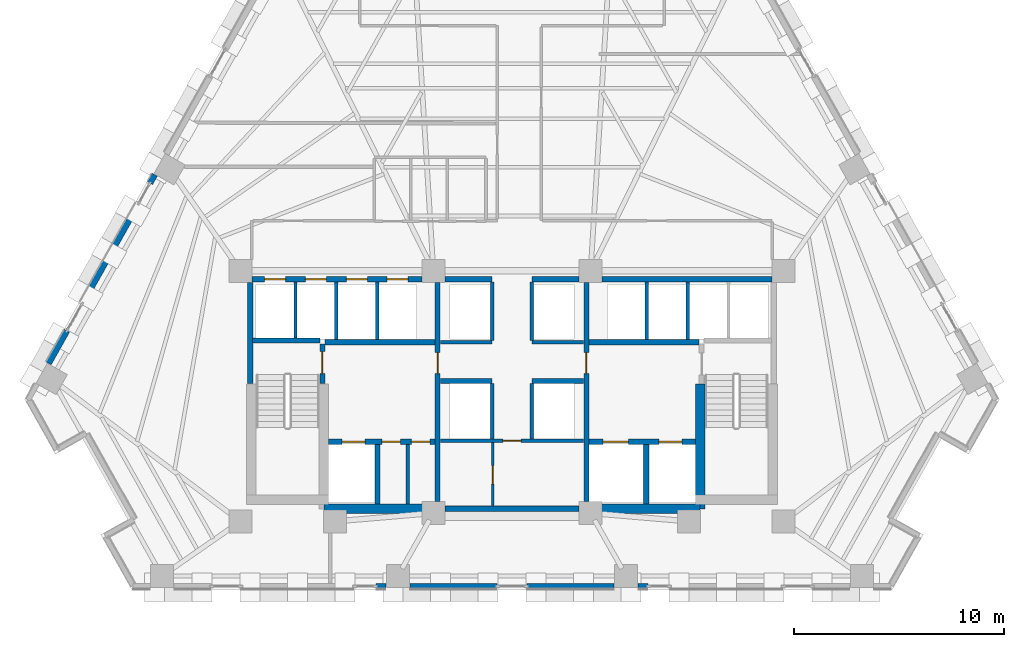
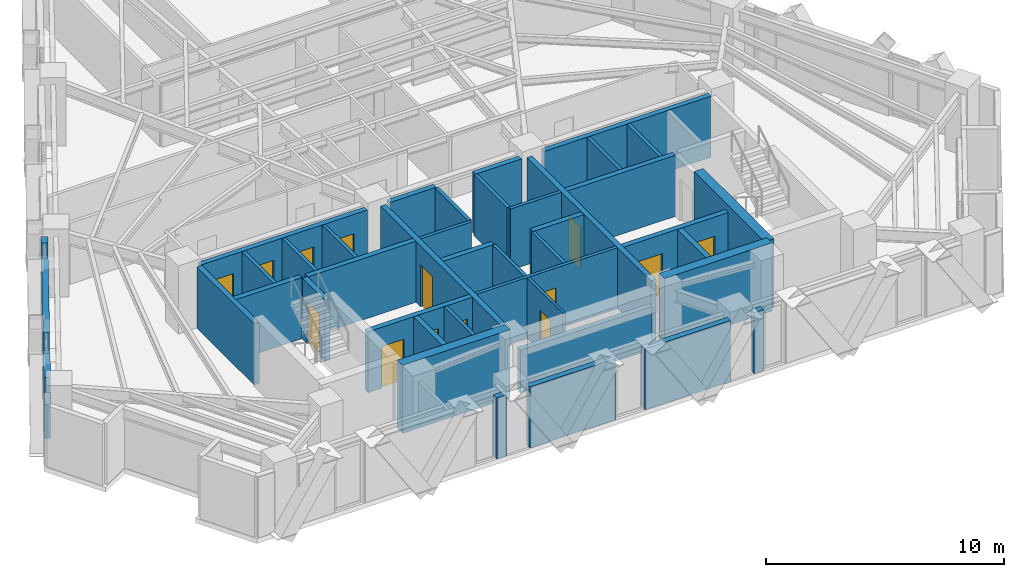
# One storey, part 7 of 13: 42 walls, 14 doors, 14 openings.
"""IFC4 building model written with IfcOpenShell, lengths in metres."""

from ifc_helpers import new_model, si_unit, direction, frame, frame_2d, origin, place, context, subcontext, project, spatial, rectangle, extrude, material, layer, layer_set, type_object, element, fill, save


model = new_model("IFC4")

# Units and contexts
model_context = context("Model", 3, precision=1e-05, world=origin(), true_north=direction((0.0, 1.0)))
body_context = subcontext(model_context, "Body", "Model", "MODEL_VIEW")
ifc_project = project(units=[si_unit("LENGTHUNIT", "METRE"), si_unit("AREAUNIT", "SQUARE_METRE"), si_unit("VOLUMEUNIT", "CUBIC_METRE"), si_unit("PLANEANGLEUNIT", "RADIAN"), si_unit("MASSUNIT", "GRAM", prefix="KILO")], contexts=[model_context])

# Site, building, storey
site_placement = place(None, origin())
site = spatial("IfcSite", under=ifc_project, at=site_placement, CompositionType="ELEMENT")
building_placement = place(site_placement, origin())
building = spatial("IfcBuilding", under=site, at=building_placement, Name="Quenlor Broadcast Tower", CompositionType="ELEMENT")
storey_placement = place(building_placement, frame((0.0, 0.0, 87.10009765625)))
storey = spatial("IfcBuildingStorey", under=building, at=storey_placement, Name="L23", CompositionType="ELEMENT", Elevation=87.10009765625)

# Walls
ifc_material_1 = material(Name="Concrete C50/60", Category="concrete")
ifc_layer_1 = layer(ifc_material_1, 0.449951171875)
ifc_layer_set_1 = layer_set([ifc_layer_1], Name="Core Concrete C50/60 Shear Wall 450")
wall_type_1 = type_object("IfcWallType", Name="Core Concrete C50/60 Shear Wall 450", PredefinedType="SHEAR", material=ifc_layer_set_1)
for number, where, z_axis, x_axis, name in (
    (1, (-8.97509765625, -16.14990234375, 0.0), (0.0, 0.0, 1.0), (1.0, 0.0, 0.0), "L23 Core Shear Wall WS-W2"),
    (2, (3.75, -16.14990234375, 0.0), (0.0, 0.0, 1.0), (1.0, 0.0, 0.0), "L23 Core Shear Wall WS-E1"),
):
    element("IfcWall", number, at=place(storey_placement, frame(where, z_axis=z_axis, x_axis=x_axis)), inside=storey, type_object=wall_type_1, Name=name, PredefinedType="SHEAR", context=body_context, shape_type="SweptSolid", body=[
        extrude(rectangle(XDim=5.22509765625, YDim=0.449951171875, at=frame_2d((2.612548828125, 0.0))), origin(), (0.0, 0.0, 1.0), 3.5),
    ])
wall_1_placement = place(storey_placement, frame((8.97509765625, -16.14990234375, 0.0), z_axis=(0.0, 0.0, 1.0), x_axis=(0.0, 1.0, 0.0)))
element("IfcWall", 3, at=wall_1_placement, inside=storey, type_object=wall_type_1, Name="L23 Core Shear Wall WI-E", PredefinedType="SHEAR", context=body_context, shape_type="SweptSolid", body=[
    extrude(rectangle(XDim=5.949951171875, YDim=0.449951171875, at=frame_2d((2.97509765625, 0.0))), origin(), (0.0, 0.0, 1.0), 3.5),
])

# Wall, opening, door
ifc_material_2 = material(Name="Concrete C40/50", Category="concrete")
ifc_layer_2 = layer(ifc_material_2, 0.25)
ifc_layer_set_2 = layer_set([ifc_layer_2], Name="Fire Rated Concrete C40/50 Core Wall 250")
wall_type_2 = type_object("IfcWallType", Name="Fire Rated Concrete C40/50 Core Wall 250", PredefinedType="PARTITIONING", material=ifc_layer_set_2)
wall_2_placement = place(storey_placement, frame((-9.0400390625, -10.179931640625, 0.0), z_axis=(0.0, 0.0, 1.0), x_axis=(0.0, 1.0, 0.0)))
wall_2 = element("IfcWall", 4, at=wall_2_placement, inside=storey, type_object=wall_type_2, Name="L23 Interior Wall CW-ST1-DR", PredefinedType="PARTITIONING", context=body_context, shape_type="SweptSolid", body=[
    extrude(rectangle(XDim=1.89990234375, YDim=0.25, at=frame_2d((0.949951171875, 0.0))), origin(), (0.0, 0.0, 1.0), 3.139892578125),
])
opening_1_placement = place(wall_2_placement, frame((0.47998046875, 0.0, 0.0)))
opening_1 = element("IfcOpeningElement", 5, at=opening_1_placement, cuts=wall_2, Name="Opening FD-1", PredefinedType="OPENING", context=body_context, shape_type="SweptSolid", body=[
    extrude(rectangle(XDim=1.050048828125, YDim=2.14990234375, at=frame_2d((0.52490234375, 1.074951171875))), frame((0.0, 0.135009765625, 0.0), z_axis=(0.0, -1.0, 0.0), x_axis=(1.0, 0.0, 0.0)), (0.0, 0.0, 1.0), 0.27001953125),
])
ifc_material_3 = material(Name="Fire Rated Steel Door Leaf", Category="steel")
door_type_1 = type_object("IfcDoorType", Name="Fire Isolated Stair Door 1050x2150", OperationType="NOTDEFINED", PredefinedType="DOOR", material=ifc_material_3)
door_1_placement = place(opening_1_placement, origin())
door_1 = element("IfcDoor", 6, at=door_1_placement, inside=storey, type_object=door_type_1, Name="L23 Door DR-ST1", OperationType="SINGLE_SWING_LEFT", OverallHeight=2.14990234375, OverallWidth=1.050048828125, PredefinedType="DOOR", context=body_context, shape_type="SweptSolid", body=[
    extrude(rectangle(XDim=1.050048828125, YDim=2.14990234375, at=frame_2d((0.52490234375, 1.074951171875))), frame((0.0, 0.02490234375, 0.0), z_axis=(0.0, -1.0, 0.0), x_axis=(1.0, 0.0, 0.0)), (0.0, 0.0, 1.0), 0.050048828125),
])
fill(opening_1, door_1)

# Walls
wall_3_placement = place(storey_placement, frame((-12.3798828125, -8.1201171875, 0.0), z_axis=(0.0, 0.0, 1.0), x_axis=(1.0, 0.0, 0.0)))
element("IfcWall", 7, at=wall_3_placement, inside=storey, type_object=wall_type_2, Name="L23 Interior Wall CW-ST1-N", PredefinedType="PARTITIONING", context=body_context, shape_type="SweptSolid", body=[
    extrude(rectangle(XDim=3.219970703125, YDim=0.25, at=frame_2d((1.60986328125, 0.0))), origin(), (0.0, 0.0, 1.0), 3.139892578125),
])
wall_4_placement = place(storey_placement, frame((-12.47998046875, -10.179931640625, 0.0), z_axis=(0.0, 0.0, 1.0), x_axis=(0.0, 1.0, 0.0)))
element("IfcWall", 8, at=wall_4_placement, inside=storey, type_object=wall_type_2, Name="L23 Interior Wall CW-ST1-W2", PredefinedType="PARTITIONING", context=body_context, shape_type="SweptSolid", body=[
    extrude(rectangle(XDim=4.827880859375, YDim=0.25, at=frame_2d((2.4140625, 0.0))), origin(), (0.0, 0.0, 1.0), 3.139892578125),
])

# Wall, openings, doors
wall_5_placement = place(storey_placement, frame((-8.748046875, -12.949951171875, 0.0), z_axis=(0.0, 0.0, 1.0), x_axis=(1.0, 0.0, 0.0)))
wall_5 = element("IfcWall", 9, at=wall_5_placement, inside=storey, type_object=wall_type_2, Name="L23 Interior Wall CW-FFW-S", PredefinedType="PARTITIONING", context=body_context, shape_type="SweptSolid", body=[
    extrude(rectangle(XDim=5.068115234375, YDim=0.25, at=frame_2d((2.5341796875, 0.0))), origin(), (0.0, 0.0, 1.0), 3.139892578125),
])
opening_2_placement = place(wall_5_placement, frame((0.64794921875, 0.0, 0.0)))
opening_2 = element("IfcOpeningElement", 10, at=opening_2_placement, cuts=wall_5, Name="Opening LD-FFL-1", PredefinedType="OPENING", context=body_context, shape_type="SweptSolid", body=[
    extrude(rectangle(XDim=1.10009765625, YDim=2.14990234375, at=frame_2d((0.550048828125, 1.074951171875))), frame((0.0, 0.135009765625, 0.0), z_axis=(0.0, -1.0, 0.0), x_axis=(1.0, 0.0, 0.0)), (0.0, 0.0, 1.0), 0.27001953125),
])
opening_3_placement = place(wall_5_placement, frame((2.548095703125, 0.0, 0.0)))
opening_3 = element("IfcOpeningElement", 11, at=opening_3_placement, cuts=wall_5, Name="Opening TD-1", PredefinedType="OPENING", context=body_context, shape_type="SweptSolid", body=[
    extrude(rectangle(XDim=0.8798828125, YDim=2.10009765625, at=frame_2d((0.43994140625, 1.050048828125))), frame((0.0, 0.135009765625, 0.0), z_axis=(0.0, -1.0, 0.0), x_axis=(1.0, 0.0, 0.0)), (0.0, 0.0, 1.0), 0.27001953125),
])
opening_4_placement = place(wall_5_placement, frame((3.947998046875, 0.0, 0.0)))
opening_4 = element("IfcOpeningElement", 12, at=opening_4_placement, cuts=wall_5, Name="Opening TD-1", PredefinedType="OPENING", context=body_context, shape_type="SweptSolid", body=[
    extrude(rectangle(XDim=0.8798828125, YDim=2.10009765625, at=frame_2d((0.43994140625, 1.050048828125))), frame((0.0, 0.135009765625, 0.0), z_axis=(0.0, -1.0, 0.0), x_axis=(1.0, 0.0, 0.0)), (0.0, 0.0, 1.0), 0.27001953125),
])
ifc_material_4 = material(Name="Brushed Stainless Steel", Category="steel")
door_type_2 = type_object("IfcDoorType", Name="Emergency Lift Sliding Landing Door 1100x2150", OperationType="NOTDEFINED", PredefinedType="DOOR", material=ifc_material_4)
door_2_placement = place(opening_2_placement, origin())
door_2 = element("IfcDoor", 13, at=door_2_placement, inside=storey, type_object=door_type_2, Name="L23 Door LD-FFL-1", OperationType="SLIDING_TO_LEFT", OverallHeight=2.14990234375, OverallWidth=1.10009765625, PredefinedType="DOOR", context=body_context, shape_type="SweptSolid", body=[
    extrude(rectangle(XDim=1.10009765625, YDim=2.14990234375, at=frame_2d((0.550048828125, 1.074951171875))), frame((0.0, 0.02490234375, 0.0), z_axis=(0.0, -1.0, 0.0), x_axis=(1.0, 0.0, 0.0)), (0.0, 0.0, 1.0), 0.050048828125),
])
fill(opening_2, door_2)
ifc_material_5 = material(Name="Fire Rated Steel Access Panel", Category="steel")
door_type_3 = type_object("IfcDoorType", Name="Riser Shaft Rated Access Trapdoor 880x2100", OperationType="NOTDEFINED", PredefinedType="TRAPDOOR", material=ifc_material_5)
door_3_placement = place(opening_3_placement, origin())
door_3 = element("IfcDoor", 14, at=door_3_placement, inside=storey, type_object=door_type_3, Name="L23 Door DR-ELR", OperationType="SINGLE_SWING_LEFT", OverallHeight=2.10009765625, OverallWidth=0.8798828125, PredefinedType="TRAPDOOR", context=body_context, shape_type="SweptSolid", body=[
    extrude(rectangle(XDim=0.8798828125, YDim=2.10009765625, at=frame_2d((0.43994140625, 1.050048828125))), frame((0.0, 0.02490234375, 0.0), z_axis=(0.0, -1.0, 0.0), x_axis=(1.0, 0.0, 0.0)), (0.0, 0.0, 1.0), 0.050048828125),
])
fill(opening_3, door_3)
door_4_placement = place(opening_4_placement, origin())
door_4 = element("IfcDoor", 15, at=door_4_placement, inside=storey, type_object=door_type_3, Name="L23 Door DR-CMR", OperationType="SINGLE_SWING_RIGHT", OverallHeight=2.10009765625, OverallWidth=0.8798828125, PredefinedType="TRAPDOOR", context=body_context, shape_type="SweptSolid", body=[
    extrude(rectangle(XDim=0.8798828125, YDim=2.10009765625, at=frame_2d((0.43994140625, 1.050048828125))), frame((0.0, 0.02490234375, 0.0), z_axis=(0.0, -1.0, 0.0), x_axis=(1.0, 0.0, 0.0)), (0.0, 0.0, 1.0), 0.050048828125),
])
fill(opening_4, door_4)

wall_6_placement = place(storey_placement, frame((3.679931640625, -12.949951171875, 0.0), z_axis=(0.0, 0.0, 1.0), x_axis=(1.0, 0.0, 0.0)))
wall_6 = element("IfcWall", 16, at=wall_6_placement, inside=storey, type_object=wall_type_2, Name="L23 Interior Wall CW-FFE-S", PredefinedType="PARTITIONING", context=body_context, shape_type="SweptSolid", body=[
    extrude(rectangle(XDim=5.068115234375, YDim=0.25, at=frame_2d((2.5341796875, 0.0))), origin(), (0.0, 0.0, 1.0), 3.139892578125),
])
opening_5_placement = place(wall_6_placement, frame((3.320068359375, 0.0, 0.0)))
opening_5 = element("IfcOpeningElement", 17, at=opening_5_placement, cuts=wall_6, Name="Opening LD-FFL-2", PredefinedType="OPENING", context=body_context, shape_type="SweptSolid", body=[
    extrude(rectangle(XDim=1.10009765625, YDim=2.14990234375, at=frame_2d((0.550048828125, 1.074951171875))), frame((0.0, 0.135009765625, 0.0), z_axis=(0.0, -1.0, 0.0), x_axis=(1.0, 0.0, 0.0)), (0.0, 0.0, 1.0), 0.27001953125),
])
opening_6_placement = place(wall_6_placement, frame((0.669921875, 0.0, 0.0)))
opening_6 = element("IfcOpeningElement", 18, at=opening_6_placement, cuts=wall_6, Name="Opening LD-SVL-1", PredefinedType="OPENING", context=body_context, shape_type="SweptSolid", body=[
    extrude(rectangle(XDim=1.199951171875, YDim=2.14990234375, at=frame_2d((0.60009765625, 1.074951171875))), frame((0.0, 0.135009765625, 0.0), z_axis=(0.0, -1.0, 0.0), x_axis=(1.0, 0.0, 0.0)), (0.0, 0.0, 1.0), 0.27001953125),
])
door_5_placement = place(opening_5_placement, origin())
door_5 = element("IfcDoor", 19, at=door_5_placement, inside=storey, type_object=door_type_2, Name="L23 Door LD-FFL-2", OperationType="SLIDING_TO_RIGHT", OverallHeight=2.14990234375, OverallWidth=1.10009765625, PredefinedType="DOOR", context=body_context, shape_type="SweptSolid", body=[
    extrude(rectangle(XDim=1.10009765625, YDim=2.14990234375, at=frame_2d((0.550048828125, 1.074951171875))), frame((0.0, 0.02490234375, 0.0), z_axis=(0.0, -1.0, 0.0), x_axis=(1.0, 0.0, 0.0)), (0.0, 0.0, 1.0), 0.050048828125),
])
fill(opening_5, door_5)
ifc_material_6 = material(Name="Brushed Stainless Steel", Category="steel")
door_type_4 = type_object("IfcDoorType", Name="Goods Lift Sliding Landing Door 1200x2150", OperationType="NOTDEFINED", PredefinedType="DOOR", material=ifc_material_6)
door_6_placement = place(opening_6_placement, origin())
door_6 = element("IfcDoor", 20, at=door_6_placement, inside=storey, type_object=door_type_4, Name="L23 Door LD-SVL-1", OperationType="SLIDING_TO_LEFT", OverallHeight=2.14990234375, OverallWidth=1.199951171875, PredefinedType="DOOR", context=body_context, shape_type="SweptSolid", body=[
    extrude(rectangle(XDim=1.199951171875, YDim=2.14990234375, at=frame_2d((0.60009765625, 1.074951171875))), frame((0.0, 0.02490234375, 0.0), z_axis=(0.0, -1.0, 0.0), x_axis=(1.0, 0.0, 0.0)), (0.0, 0.0, 1.0), 0.050048828125),
])
fill(opening_6, door_6)

# Walls
for number, where, z_axis, x_axis, name in (
    (21, (-6.419921875, -15.919921875, 0.0), (0.0, 0.0, 1.0), (0.0, 1.0, 0.0), "L23 Interior Wall CW-FF1-E"),
    (22, (6.39990234375, -15.919921875, 0.0), (0.0, 0.0, 1.0), (0.0, 1.0, 0.0), "L23 Interior Wall CW-SV1-E"),
):
    element("IfcWall", number, at=place(storey_placement, frame(where, z_axis=z_axis, x_axis=x_axis)), inside=storey, type_object=wall_type_2, Name=name, PredefinedType="PARTITIONING", context=body_context, shape_type="SweptSolid", body=[
        extrude(rectangle(XDim=2.829833984375, YDim=0.25, at=frame_2d((1.4150390625, 0.0))), origin(), (0.0, 0.0, 1.0), 3.139892578125),
    ])
for number, where, z_axis, x_axis, name in (
    (23, (-8.919921875, -8.199951171875, 0.0), (0.0, 0.0, 1.0), (1.0, 0.0, 0.0), "L23 Interior Wall CW-FFW-N"),
    (24, (3.679931640625, -8.199951171875, 0.0), (0.0, 0.0, 1.0), (1.0, 0.0, 0.0), "L23 Interior Wall CW-FFE-N"),
):
    element("IfcWall", number, at=place(storey_placement, frame(where, z_axis=z_axis, x_axis=x_axis)), inside=storey, type_object=wall_type_2, Name=name, PredefinedType="PARTITIONING", context=body_context, shape_type="SweptSolid", body=[
        extrude(rectangle(XDim=5.239990234375, YDim=0.25, at=frame_2d((2.6201171875, 0.0))), origin(), (0.0, 0.0, 1.0), 3.139892578125),
    ])

# Wall, opening, door
wall_7_placement = place(storey_placement, frame((-3.550048828125, -15.798095703125, 0.0), z_axis=(0.0, 0.0, 1.0), x_axis=(0.0, 1.0, 0.0)))
wall_7 = element("IfcWall", 25, at=wall_7_placement, inside=storey, type_object=wall_type_2, Name="L23 Interior Wall CW-FFW-E", PredefinedType="PARTITIONING", context=body_context, shape_type="SweptSolid", body=[
    extrude(rectangle(XDim=10.446044921875, YDim=0.25, at=frame_2d((5.22314453125, 0.0))), origin(), (0.0, 0.0, 1.0), 3.139892578125),
])
opening_7_placement = place(wall_7_placement, frame((6.097900390625, 0.0, 0.0)))
opening_7 = element("IfcOpeningElement", 26, at=opening_7_placement, cuts=wall_7, Name="Opening FD-2", PredefinedType="OPENING", context=body_context, shape_type="SweptSolid", body=[
    extrude(rectangle(XDim=1.0, YDim=2.14990234375, at=frame_2d((0.5, 1.074951171875))), frame((0.0, 0.135009765625, 0.0), z_axis=(0.0, -1.0, 0.0), x_axis=(1.0, 0.0, 0.0)), (0.0, 0.0, 1.0), 0.27001953125),
])
ifc_material_7 = material(Name="Fire Rated Glazed Steel Door", Category="steel")
door_type_5 = type_object("IfcDoorType", Name="Firefighting Lobby Smoke Door 1000x2150", OperationType="NOTDEFINED", PredefinedType="DOOR", material=ifc_material_7)
door_7_placement = place(opening_7_placement, origin())
door_7 = element("IfcDoor", 27, at=door_7_placement, inside=storey, type_object=door_type_5, Name="L23 Door DR-FFLW", OperationType="SINGLE_SWING_RIGHT", OverallHeight=2.14990234375, OverallWidth=1.0, PredefinedType="DOOR", context=body_context, shape_type="SweptSolid", body=[
    extrude(rectangle(XDim=1.0, YDim=2.14990234375, at=frame_2d((0.5, 1.074951171875))), frame((0.0, 0.02490234375, 0.0), z_axis=(0.0, -1.0, 0.0), x_axis=(1.0, 0.0, 0.0)), (0.0, 0.0, 1.0), 0.050048828125),
])
fill(opening_7, door_7)

wall_8_placement = place(storey_placement, frame((3.550048828125, -15.798095703125, 0.0), z_axis=(0.0, 0.0, 1.0), x_axis=(0.0, 1.0, 0.0)))
wall_8 = element("IfcWall", 28, at=wall_8_placement, inside=storey, type_object=wall_type_2, Name="L23 Interior Wall CW-FFE-W", PredefinedType="PARTITIONING", context=body_context, shape_type="SweptSolid", body=[
    extrude(rectangle(XDim=10.446044921875, YDim=0.25, at=frame_2d((5.22314453125, 0.0))), origin(), (0.0, 0.0, 1.0), 3.139892578125),
])
opening_8_placement = place(wall_8_placement, frame((6.097900390625, 0.0, 0.0)))
opening_8 = element("IfcOpeningElement", 29, at=opening_8_placement, cuts=wall_8, Name="Opening FD-2", PredefinedType="OPENING", context=body_context, shape_type="SweptSolid", body=[
    extrude(rectangle(XDim=1.0, YDim=2.14990234375, at=frame_2d((0.5, 1.074951171875))), frame((0.0, 0.135009765625, 0.0), z_axis=(0.0, -1.0, 0.0), x_axis=(1.0, 0.0, 0.0)), (0.0, 0.0, 1.0), 0.27001953125),
])
door_8_placement = place(opening_8_placement, origin())
door_8 = element("IfcDoor", 30, at=door_8_placement, inside=storey, type_object=door_type_5, Name="L23 Door DR-FFLE", OperationType="SINGLE_SWING_LEFT", OverallHeight=2.14990234375, OverallWidth=1.0, PredefinedType="DOOR", context=body_context, shape_type="SweptSolid", body=[
    extrude(rectangle(XDim=1.0, YDim=2.14990234375, at=frame_2d((0.5, 1.074951171875))), frame((0.0, 0.02490234375, 0.0), z_axis=(0.0, -1.0, 0.0), x_axis=(1.0, 0.0, 0.0)), (0.0, 0.0, 1.0), 0.050048828125),
])
fill(opening_8, door_8)

# Wall, openings, doors
wall_9_placement = place(storey_placement, frame((-12.39794921875, -5.199951171875, 0.0), z_axis=(0.0, 0.0, 1.0), x_axis=(1.0, 0.0, 0.0)))
wall_9 = element("IfcWall", 31, at=wall_9_placement, inside=storey, type_object=wall_type_2, Name="L23 Interior Wall CW-N-W", PredefinedType="PARTITIONING", context=body_context, shape_type="SweptSolid", body=[
    extrude(rectangle(XDim=8.095947265625, YDim=0.25, at=frame_2d((4.0478515625, 0.0))), origin(), (0.0, 0.0, 1.0), 3.139892578125),
])
opening_9_placement = place(wall_9_placement, frame((0.597900390625, 0.0, 0.0)))
opening_9 = element("IfcOpeningElement", 32, at=opening_9_placement, cuts=wall_9, Name="Opening LD-PL-L1", PredefinedType="OPENING", context=body_context, shape_type="SweptSolid", body=[
    extrude(rectangle(XDim=1.0, YDim=2.14990234375, at=frame_2d((0.5, 1.074951171875))), frame((0.0, 0.135009765625, 0.0), z_axis=(0.0, -1.0, 0.0), x_axis=(1.0, 0.0, 0.0)), (0.0, 0.0, 1.0), 0.27001953125),
])
opening_10_placement = place(wall_9_placement, frame((2.548095703125, 0.0, 0.0)))
opening_10 = element("IfcOpeningElement", 33, at=opening_10_placement, cuts=wall_9, Name="Opening LD-PL-L2", PredefinedType="OPENING", context=body_context, shape_type="SweptSolid", body=[
    extrude(rectangle(XDim=1.0, YDim=2.14990234375, at=frame_2d((0.5, 1.074951171875))), frame((0.0, 0.135009765625, 0.0), z_axis=(0.0, -1.0, 0.0), x_axis=(1.0, 0.0, 0.0)), (0.0, 0.0, 1.0), 0.27001953125),
])
opening_11_placement = place(wall_9_placement, frame((4.498046875, 0.0, 0.0)))
opening_11 = element("IfcOpeningElement", 34, at=opening_11_placement, cuts=wall_9, Name="Opening LD-PL-L3", PredefinedType="OPENING", context=body_context, shape_type="SweptSolid", body=[
    extrude(rectangle(XDim=1.0, YDim=2.14990234375, at=frame_2d((0.5, 1.074951171875))), frame((0.0, 0.135009765625, 0.0), z_axis=(0.0, -1.0, 0.0), x_axis=(1.0, 0.0, 0.0)), (0.0, 0.0, 1.0), 0.27001953125),
])
opening_12_placement = place(wall_9_placement, frame((6.447998046875, 0.0, 0.0)))
opening_12 = element("IfcOpeningElement", 35, at=opening_12_placement, cuts=wall_9, Name="Opening LD-PL-L4", PredefinedType="OPENING", context=body_context, shape_type="SweptSolid", body=[
    extrude(rectangle(XDim=1.0, YDim=2.14990234375, at=frame_2d((0.5, 1.074951171875))), frame((0.0, 0.135009765625, 0.0), z_axis=(0.0, -1.0, 0.0), x_axis=(1.0, 0.0, 0.0)), (0.0, 0.0, 1.0), 0.27001953125),
])
ifc_material_8 = material(Name="Brushed Stainless Steel", Category="steel")
door_type_6 = type_object("IfcDoorType", Name="Passenger Lift Sliding Landing Door 1000x2150", OperationType="NOTDEFINED", PredefinedType="DOOR", material=ifc_material_8)
door_9_placement = place(opening_9_placement, origin())
door_9 = element("IfcDoor", 36, at=door_9_placement, inside=storey, type_object=door_type_6, Name="L23 Door LD-PL-L1", OperationType="SLIDING_TO_LEFT", OverallHeight=2.14990234375, OverallWidth=1.0, PredefinedType="DOOR", context=body_context, shape_type="SweptSolid", body=[
    extrude(rectangle(XDim=1.0, YDim=2.14990234375, at=frame_2d((0.5, 1.074951171875))), frame((0.0, 0.02490234375, 0.0), z_axis=(0.0, -1.0, 0.0), x_axis=(1.0, 0.0, 0.0)), (0.0, 0.0, 1.0), 0.050048828125),
])
fill(opening_9, door_9)
door_10_placement = place(opening_10_placement, origin())
door_10 = element("IfcDoor", 37, at=door_10_placement, inside=storey, type_object=door_type_6, Name="L23 Door LD-PL-L2", OperationType="SLIDING_TO_LEFT", OverallHeight=2.14990234375, OverallWidth=1.0, PredefinedType="DOOR", context=body_context, shape_type="SweptSolid", body=[
    extrude(rectangle(XDim=1.0, YDim=2.14990234375, at=frame_2d((0.5, 1.074951171875))), frame((0.0, 0.02490234375, 0.0), z_axis=(0.0, -1.0, 0.0), x_axis=(1.0, 0.0, 0.0)), (0.0, 0.0, 1.0), 0.050048828125),
])
fill(opening_10, door_10)
door_11_placement = place(opening_11_placement, origin())
door_11 = element("IfcDoor", 38, at=door_11_placement, inside=storey, type_object=door_type_6, Name="L23 Door LD-PL-L3", OperationType="SLIDING_TO_LEFT", OverallHeight=2.14990234375, OverallWidth=1.0, PredefinedType="DOOR", context=body_context, shape_type="SweptSolid", body=[
    extrude(rectangle(XDim=1.0, YDim=2.14990234375, at=frame_2d((0.5, 1.074951171875))), frame((0.0, 0.02490234375, 0.0), z_axis=(0.0, -1.0, 0.0), x_axis=(1.0, 0.0, 0.0)), (0.0, 0.0, 1.0), 0.050048828125),
])
fill(opening_11, door_11)
door_12_placement = place(opening_12_placement, origin())
door_12 = element("IfcDoor", 39, at=door_12_placement, inside=storey, type_object=door_type_6, Name="L23 Door LD-PL-L4", OperationType="SLIDING_TO_LEFT", OverallHeight=2.14990234375, OverallWidth=1.0, PredefinedType="DOOR", context=body_context, shape_type="SweptSolid", body=[
    extrude(rectangle(XDim=1.0, YDim=2.14990234375, at=frame_2d((0.5, 1.074951171875))), frame((0.0, 0.02490234375, 0.0), z_axis=(0.0, -1.0, 0.0), x_axis=(1.0, 0.0, 0.0)), (0.0, 0.0, 1.0), 0.050048828125),
])
fill(opening_12, door_12)

# Walls
wall_10_placement = place(storey_placement, frame((4.302001953125, -5.199951171875, 0.0), z_axis=(0.0, 0.0, 1.0), x_axis=(1.0, 0.0, 0.0)))
element("IfcWall", 40, at=wall_10_placement, inside=storey, type_object=wall_type_2, Name="L23 Interior Wall CW-N-E", PredefinedType="PARTITIONING", context=body_context, shape_type="SweptSolid", body=[
    extrude(rectangle(XDim=8.095947265625, YDim=0.25, at=frame_2d((4.0478515625, 0.0))), origin(), (0.0, 0.0, 1.0), 3.139892578125),
])
for number, where, z_axis, x_axis, name in (
    (41, (-3.197998046875, -5.199951171875, 0.0), (0.0, 0.0, 1.0), (1.0, 0.0, 0.0), "L23 Interior Wall CW-N-M1"),
    (42, (0.949951171875, -5.199951171875, 0.0), (0.0, 0.0, 1.0), (1.0, 0.0, 0.0), "L23 Interior Wall CW-N-M2"),
):
    element("IfcWall", number, at=place(storey_placement, frame(where, z_axis=z_axis, x_axis=x_axis)), inside=storey, type_object=wall_type_2, Name=name, PredefinedType="PARTITIONING", context=body_context, shape_type="SweptSolid", body=[
        extrude(rectangle(XDim=2.248046875, YDim=0.25, at=frame_2d((1.1240234375, 0.0))), origin(), (0.0, 0.0, 1.0), 3.139892578125),
    ])
wall_11_placement = place(storey_placement, frame((-3.197998046875, -16.14990234375, 0.0), z_axis=(0.0, 0.0, 1.0), x_axis=(1.0, 0.0, 0.0)))
element("IfcWall", 43, at=wall_11_placement, inside=storey, type_object=wall_type_2, Name="L23 Interior Wall CW-MS-S", PredefinedType="PARTITIONING", context=body_context, shape_type="SweptSolid", body=[
    extrude(rectangle(XDim=6.39599609375, YDim=0.25, at=frame_2d((3.197998046875, 0.0))), origin(), (0.0, 0.0, 1.0), 2.18994140625),
])
for number, where, z_axis, x_axis, name in (
    (44, (-3.419921875, -10.050048828125, 0.0), (0.0, 0.0, 1.0), (1.0, 0.0, 0.0), "L23 Interior Wall CW-MS-N1"),
    (45, (0.949951171875, -10.050048828125, 0.0), (0.0, 0.0, 1.0), (1.0, 0.0, 0.0), "L23 Interior Wall CW-MS-N2"),
):
    element("IfcWall", number, at=place(storey_placement, frame(where, z_axis=z_axis, x_axis=x_axis)), inside=storey, type_object=wall_type_2, Name=name, PredefinedType="PARTITIONING", context=body_context, shape_type="SweptSolid", body=[
        extrude(rectangle(XDim=2.469970703125, YDim=0.25, at=frame_2d((1.23486328125, 0.0))), origin(), (0.0, 0.0, 1.0), 3.139892578125),
    ])
ifc_material_9 = material(Name="Gypsum Fireboard Partition", Category="other")
ifc_layer_3 = layer(ifc_material_9, 0.159912109375)
ifc_layer_set_3 = layer_set([ifc_layer_3], Name="Fire Rated Shaft and Corridor Partition 160")
wall_type_3 = type_object("IfcWallType", Name="Fire Rated Shaft and Corridor Partition 160", PredefinedType="PARTITIONING", material=ifc_layer_set_3)
wall_12_placement = place(storey_placement, frame((-4.97998046875, -15.919921875, 0.0), z_axis=(0.0, 0.0, 1.0), x_axis=(0.0, 1.0, 0.0)))
element("IfcWall", 46, at=wall_12_placement, inside=storey, type_object=wall_type_3, Name="L23 Interior Wall CW-ELR-E", PredefinedType="PARTITIONING", context=body_context, shape_type="SweptSolid", body=[
    extrude(rectangle(XDim=2.829833984375, YDim=0.159912109375, at=frame_2d((1.4150390625, 0.0))), origin(), (0.0, 0.0, 1.0), 3.139892578125),
])
wall_13_placement = place(storey_placement, frame((-10.324951171875, -7.992919921875, 0.0), z_axis=(0.0, 0.0, 1.0), x_axis=(0.0, 1.0, 0.0)))
element("IfcWall", 47, at=wall_13_placement, inside=storey, type_object=wall_type_3, Name="L23 Interior Wall CW-PLL-D1", PredefinedType="PARTITIONING", context=body_context, shape_type="SweptSolid", body=[
    extrude(rectangle(XDim=2.65283203125, YDim=0.159912109375, at=frame_2d((1.326416015625, 0.0))), origin(), (0.0, 0.0, 1.0), 3.139892578125),
])
for number, where, z_axis, x_axis, name in (
    (48, (-8.375, -8.072998046875, 0.0), (0.0, 0.0, 1.0), (0.0, 1.0, 0.0), "L23 Interior Wall CW-PLL-D2"),
    (49, (-6.425048828125, -8.072998046875, 0.0), (0.0, 0.0, 1.0), (0.0, 1.0, 0.0), "L23 Interior Wall CW-PLL-D3"),
    (50, (6.425048828125, -8.072998046875, 0.0), (0.0, 0.0, 1.0), (0.0, 1.0, 0.0), "L23 Interior Wall CW-PLH-D1"),
    (51, (8.375, -8.072998046875, 0.0), (0.0, 0.0, 1.0), (0.0, 1.0, 0.0), "L23 Interior Wall CW-PLH-D2"),
):
    element("IfcWall", number, at=place(storey_placement, frame(where, z_axis=z_axis, x_axis=x_axis)), inside=storey, type_object=wall_type_3, Name=name, PredefinedType="PARTITIONING", context=body_context, shape_type="SweptSolid", body=[
        extrude(rectangle(XDim=2.73291015625, YDim=0.159912109375, at=frame_2d((1.366455078125, 0.0))), origin(), (0.0, 0.0, 1.0), 3.139892578125),
    ])
for number, where, z_axis, x_axis, name in (
    (52, (-0.949951171875, -8.1201171875, 0.0), (0.0, 0.0, 1.0), (0.0, 1.0, 0.0), "L23 Interior Wall CW-CCRP-W"),
    (53, (0.949951171875, -8.1201171875, 0.0), (0.0, 0.0, 1.0), (0.0, 1.0, 0.0), "L23 Interior Wall CW-CCRP-E"),
):
    element("IfcWall", number, at=place(storey_placement, frame(where, z_axis=z_axis, x_axis=x_axis)), inside=storey, type_object=wall_type_3, Name=name, PredefinedType="PARTITIONING", context=body_context, shape_type="SweptSolid", body=[
        extrude(rectangle(XDim=2.780029296875, YDim=0.159912109375, at=frame_2d((1.39013671875, 0.0))), origin(), (0.0, 0.0, 1.0), 3.139892578125),
    ])
for number, where, z_axis, x_axis, name in (
    (54, (-3.419921875, -8.199951171875, 0.0), (0.0, 0.0, 1.0), (1.0, 0.0, 0.0), "L23 Interior Wall CW-M-BACK1"),
    (55, (0.949951171875, -8.199951171875, 0.0), (0.0, 0.0, 1.0), (1.0, 0.0, 0.0), "L23 Interior Wall CW-M-BACK2"),
):
    element("IfcWall", number, at=place(storey_placement, frame(where, z_axis=z_axis, x_axis=x_axis)), inside=storey, type_object=wall_type_3, Name=name, PredefinedType="PARTITIONING", context=body_context, shape_type="SweptSolid", body=[
        extrude(rectangle(XDim=2.469970703125, YDim=0.159912109375, at=frame_2d((1.23486328125, 0.0))), origin(), (0.0, 0.0, 1.0), 3.139892578125),
    ])

# Wall, opening, door
wall_14_placement = place(storey_placement, frame((-3.419921875, -12.89990234375, 0.0), z_axis=(0.0, 0.0, 1.0), x_axis=(1.0, 0.0, 0.0)))
wall_14 = element("IfcWall", 56, at=wall_14_placement, inside=storey, type_object=wall_type_3, Name="L23 Interior Wall CW-MS-B", PredefinedType="PARTITIONING", context=body_context, shape_type="SweptSolid", body=[
    extrude(rectangle(XDim=6.83984375, YDim=0.159912109375, at=frame_2d((3.419921875, 0.0))), origin(), (0.0, 0.0, 1.0), 3.139892578125),
])
opening_13_placement = place(wall_14_placement, frame((2.97998046875, 0.0, 0.0)))
opening_13 = element("IfcOpeningElement", 57, at=opening_13_placement, cuts=wall_14, Name="Opening ID-4", PredefinedType="OPENING", context=body_context, shape_type="SweptSolid", body=[
    extrude(rectangle(XDim=0.8798828125, YDim=2.1201171875, at=frame_2d((0.43994140625, 1.06005859375))), frame((0.0, 0.08984375, 0.0), z_axis=(0.0, -1.0, 0.0), x_axis=(1.0, 0.0, 0.0)), (0.0, 0.0, 1.0), 0.179931640625),
])
ifc_material_10 = material(Name="Solid Core Timber Oak", Category="wood")
door_type_7 = type_object("IfcDoorType", Name="Service Closet Timber Door 880x2120", OperationType="NOTDEFINED", PredefinedType="DOOR", material=ifc_material_10)
door_13_placement = place(opening_13_placement, origin())
door_13 = element("IfcDoor", 58, at=door_13_placement, inside=storey, type_object=door_type_7, Name="L23 Door DR-CSV0", OperationType="SINGLE_SWING_LEFT", OverallHeight=2.1201171875, OverallWidth=0.8798828125, PredefinedType="DOOR", context=body_context, shape_type="SweptSolid", body=[
    extrude(rectangle(XDim=0.8798828125, YDim=2.1201171875, at=frame_2d((0.43994140625, 1.06005859375))), frame((0.0, 0.02490234375, 0.0), z_axis=(0.0, -1.0, 0.0), x_axis=(1.0, 0.0, 0.0)), (0.0, 0.0, 1.0), 0.050048828125),
])
fill(opening_13, door_13)

# Walls
for number, where, z_axis, x_axis, name in (
    (59, (-0.949951171875, -12.818115234375, 0.0), (0.0, 0.0, 1.0), (0.0, 1.0, 0.0), "L23 Interior Wall CW-MS-W"),
    (60, (0.949951171875, -12.818115234375, 0.0), (0.0, 0.0, 1.0), (0.0, 1.0, 0.0), "L23 Interior Wall CW-MS-E"),
):
    element("IfcWall", number, at=place(storey_placement, frame(where, z_axis=z_axis, x_axis=x_axis)), inside=storey, type_object=wall_type_3, Name=name, PredefinedType="PARTITIONING", context=body_context, shape_type="SweptSolid", body=[
        extrude(rectangle(XDim=2.63818359375, YDim=0.159912109375, at=frame_2d((1.319091796875, 0.0))), origin(), (0.0, 0.0, 1.0), 3.139892578125),
    ])

# Wall, opening, door
ifc_material_11 = material(Name="Gypsum Plasterboard Partition", Category="other")
ifc_layer_4 = layer(ifc_material_11, 0.1201171875)
ifc_layer_set_4 = layer_set([ifc_layer_4], Name="Standard Office Partition 120")
wall_type_4 = type_object("IfcWallType", Name="Standard Office Partition 120", PredefinedType="PARTITIONING", material=ifc_layer_set_4)
wall_15_placement = place(storey_placement, frame((-0.909912109375, -16.02001953125, 0.0), z_axis=(0.0, 0.0, 1.0), x_axis=(0.0, 1.0, 0.0)))
wall_15 = element("IfcWall", 61, at=wall_15_placement, inside=storey, type_object=wall_type_4, Name="L23 Interior Wall CW-CSV-W1", PredefinedType="PARTITIONING", context=body_context, shape_type="SweptSolid", body=[
    extrude(rectangle(XDim=3.0380859375, YDim=0.1201171875, at=frame_2d((1.51904296875, 0.0))), origin(), (0.0, 0.0, 1.0), 3.139892578125),
])
opening_14_placement = place(wall_15_placement, frame((1.050048828125, 0.0, 0.0)))
opening_14 = element("IfcOpeningElement", 62, at=opening_14_placement, cuts=wall_15, Name="Opening ID-4", PredefinedType="OPENING", context=body_context, shape_type="SweptSolid", body=[
    extrude(rectangle(XDim=0.8798828125, YDim=2.1201171875, at=frame_2d((0.43994140625, 1.06005859375))), frame((0.0, 0.070068359375, 0.0), z_axis=(0.0, -1.0, 0.0), x_axis=(1.0, 0.0, 0.0)), (0.0, 0.0, 1.0), 0.14013671875),
])
door_14_placement = place(opening_14_placement, origin())
door_14 = element("IfcDoor", 63, at=door_14_placement, inside=storey, type_object=door_type_7, Name="L23 Door DR-CSV1", OperationType="SINGLE_SWING_LEFT", OverallHeight=2.1201171875, OverallWidth=0.8798828125, PredefinedType="DOOR", context=body_context, shape_type="SweptSolid", body=[
    extrude(rectangle(XDim=0.8798828125, YDim=2.1201171875, at=frame_2d((0.43994140625, 1.06005859375))), frame((0.0, 0.02490234375, 0.0), z_axis=(0.0, -1.0, 0.0), x_axis=(1.0, 0.0, 0.0)), (0.0, 0.0, 1.0), 0.050048828125),
])
fill(opening_14, door_14)

# Walls
ifc_material_12 = material(Name="Precast concrete C40/50", Category="concrete")
ifc_layer_5 = layer(ifc_material_12, 0.280029296875)
ifc_layer_set_5 = layer_set([ifc_layer_5], Name="Terracotta Precast Concrete C40/50 Facade Wall 280")
wall_type_5 = type_object("IfcWallType", Name="Terracotta Precast Concrete C40/50 Facade Wall 280", PredefinedType="STANDARD", material=ifc_layer_set_5)
for number, where, z_axis, x_axis, name in (
    (64, (6.478271484375, -19.840087890625, 0.0), (0.0, 0.0, 1.0), (-1.0, 0.0, 0.0), "L23 Exterior Wall L23-SA-SP3"),
    (65, (-6.018310546875, -19.840087890625, 0.0), (0.0, 0.0, 1.0), (-1.0, 0.0, 0.0), "L23 Exterior Wall L23-SC-SP1"),
):
    element("IfcWall", number, at=place(storey_placement, frame(where, z_axis=z_axis, x_axis=x_axis)), inside=storey, type_object=wall_type_5, Name=name, PredefinedType="STANDARD", context=body_context, shape_type="SweptSolid", body=[
        extrude(rectangle(XDim=0.4599609375, YDim=0.280029296875, at=frame_2d((0.22998046875, 0.0))), origin(), (0.0, 0.0, 1.0), 3.139892578125),
    ])
for number, where, z_axis, x_axis, name in (
    (66, (4.873291015625, -19.840087890625, 0.0), (0.0, 0.0, 1.0), (-1.0, 0.0, 0.0), "L23 Exterior Wall L23-S-SP1"),
    (67, (-0.7216796875, -19.840087890625, 0.0), (0.0, 0.0, 1.0), (-1.0, 0.0, 0.0), "L23 Exterior Wall L23-S-SP2"),
):
    element("IfcWall", number, at=place(storey_placement, frame(where, z_axis=z_axis, x_axis=x_axis)), inside=storey, type_object=wall_type_5, Name=name, PredefinedType="STANDARD", context=body_context, shape_type="SweptSolid", body=[
        extrude(rectangle(XDim=4.151611328125, YDim=0.280029296875, at=frame_2d((2.07568359375, 0.0))), origin(), (0.0, 0.0, 1.0), 3.139892578125),
    ])
wall_16_placement = place(storey_placement, frame((-22.099853515625, -9.215087890625, 0.0), z_axis=(0.0, 0.0, 1.0), x_axis=(0.490248214463, 0.871582863654, 0.0)))
element("IfcWall", 68, at=wall_16_placement, inside=storey, type_object=wall_type_5, Name="L23 Exterior Wall L23-NWA-SP1", PredefinedType="STANDARD", context=body_context, shape_type="SweptSolid", body=[
    extrude(rectangle(XDim=1.77978515625, YDim=0.280029296875, at=frame_2d((0.889892578125, 0.0))), origin(), (0.0, 0.0, 1.0), 3.139892578125),
])
wall_17_placement = place(storey_placement, frame((-20.49609375, -6.364013671875, 0.0), z_axis=(0.0, 0.0, 1.0), x_axis=(0.490240051056, 0.87158745536, 0.0)))
element("IfcWall", 69, at=wall_17_placement, inside=storey, type_object=wall_type_5, Name="L23 Exterior Wall L23-NWA-SP2", PredefinedType="STANDARD", context=body_context, shape_type="SweptSolid", body=[
    extrude(rectangle(XDim=5.470458984375, YDim=0.280029296875, at=frame_2d((2.7353515625, 0.0))), origin(), (0.0, 0.0, 1.0), 3.139892578125),
])
wall_18_placement = place(storey_placement, frame((-17.264404296875, -0.618896484375, 0.0), z_axis=(0.0, 0.0, 1.0), x_axis=(0.490009165718, 0.871717280724, 0.0)))
element("IfcWall", 70, at=wall_18_placement, inside=storey, type_object=wall_type_5, Name="L23 Exterior Wall L23-NWA-SP3", PredefinedType="STANDARD", context=body_context, shape_type="SweptSolid", body=[
    extrude(rectangle(XDim=0.4599609375, YDim=0.280029296875, at=frame_2d((0.22998046875, 0.0))), origin(), (0.0, 0.0, 1.0), 3.139892578125),
])

save(model, "model.ifc")
